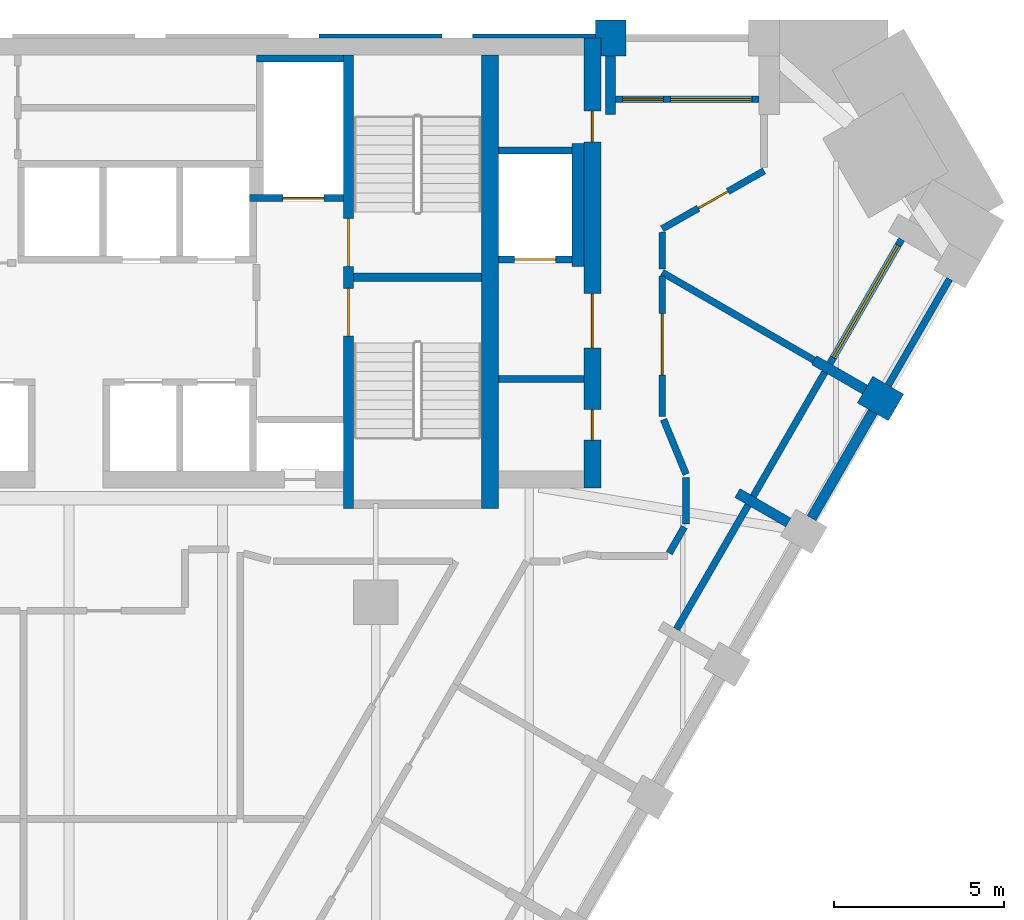
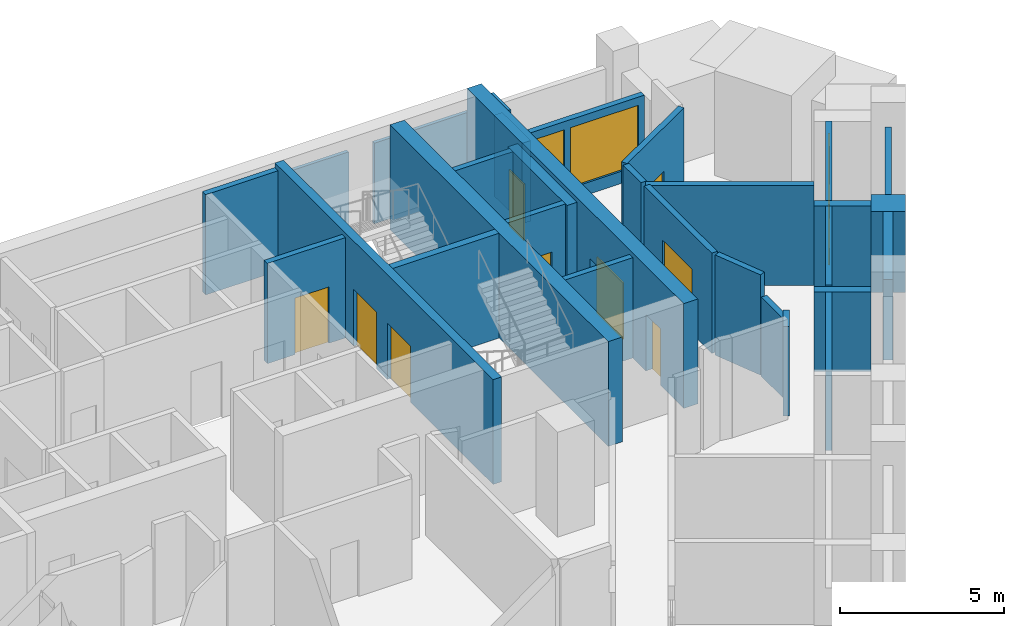
# One storey, part 7 of 9: 30 walls, 10 doors, 2 windows, 12 openings.
"""IFC4 building model written with IfcOpenShell, lengths in metres."""

from ifc_helpers import new_model, si_unit, direction, frame, frame_2d, origin, place, context, subcontext, project, spatial, polyline, rectangle, outline, extrude, material, layer, layer_set, type_object, element, fill, save


model = new_model("IFC4")

# Units and contexts
model_context = context("Model", 3, precision=1e-05, world=origin(), true_north=direction((0.0, 1.0)))
body_context = subcontext(model_context, "Body", "Model", "MODEL_VIEW")
ifc_project = project(units=[si_unit("LENGTHUNIT", "METRE"), si_unit("AREAUNIT", "SQUARE_METRE"), si_unit("VOLUMEUNIT", "CUBIC_METRE"), si_unit("PLANEANGLEUNIT", "RADIAN"), si_unit("MASSUNIT", "GRAM", prefix="KILO")], contexts=[model_context])

# Site, building, storey
site_placement = place(None, origin())
site = spatial("IfcSite", under=ifc_project, at=site_placement, CompositionType="ELEMENT")
building_placement = place(site_placement, origin())
building = spatial("IfcBuilding", under=site, at=building_placement, Name="Calabash Gate Tower", CompositionType="ELEMENT")
storey_placement = place(building_placement, frame((0.0, 0.0, 156.300048828125)))
storey = spatial("IfcBuildingStorey", under=building, at=storey_placement, Name="L36", CompositionType="ELEMENT", Elevation=156.300048828125)

# Walls
ifc_material_1 = material(Name="Terracotta brick masonry, exposed face", Category="masonry")
ifc_layer_1 = layer(ifc_material_1, 1.050048828125)
ifc_layer_set_1 = layer_set([ifc_layer_1], Name="Brick end wall 1050")
wall_type_1 = type_object("IfcWallType", Name="Brick end wall 1050", PredefinedType="SOLIDWALL", material=ifc_layer_set_1)
wall_1_placement = place(storey_placement, frame((24.2587890625, 8.2119140625, 0.0), z_axis=(0.0, 0.0, 1.0), x_axis=(-0.86592997719, 0.500165247297, 0.0)))
element("IfcWall", 1, at=wall_1_placement, inside=storey, type_object=wall_type_1, Name="Brick pier S10 SE4.7", PredefinedType="SOLIDWALL", context=body_context, shape_type="SweptSolid", body=[
    extrude(rectangle(XDim=1.050048828125, YDim=0.89990234375, at=frame_2d((0.52490234375, 0.0))), origin(), (0.0, 0.0, 1.0), 3.0),
])
wall_2_placement = place(storey_placement, origin())
element("IfcWall", 2, at=wall_2_placement, inside=storey, type_object=wall_type_1, Name="Brick pier S10 N6.1", PredefinedType="SOLIDWALL", context=body_context, shape_type="SweptSolid", body=[
    extrude(outline(polyline([(16.33740234375, 18.527587890625), (16.33740234375, 19.57763671875), (15.4375, 19.57763671875), (15.4375, 19.052490234375), (15.60009765625, 19.052490234375), (15.60009765625, 18.527587890625), (16.33740234375, 18.527587890625)])), origin(), (0.0, 0.0, 1.0), 3.0),
])
ifc_material_2 = material(Name="Terracotta brick masonry, exposed face", Category="masonry")
ifc_layer_2 = layer(ifc_material_2, 0.300048828125)
ifc_layer_set_2 = layer_set([ifc_layer_2], Name="Brick infill panel wall 300")
wall_type_2 = type_object("IfcWallType", Name="Brick infill panel wall 300", PredefinedType="SOLIDWALL", material=ifc_layer_set_2)
wall_3_placement = place(storey_placement, frame((21.779296875, 4.967041015625, 0.0), z_axis=(0.0, 0.0, 1.0), x_axis=(0.500012057535, 0.866018442252, 0.0)))
element("IfcWall", 3, at=wall_3_placement, inside=storey, type_object=wall_type_2, Name="Brick panel S10 SE4.7", PredefinedType="SOLIDWALL", context=body_context, shape_type="SweptSolid", body=[
    extrude(rectangle(XDim=3.60009765625, YDim=0.300048828125, at=frame_2d((1.800048828125, 0.0))), origin(), (0.0, 0.0, 1.0), 3.0),
])
ifc_material_3 = material(Name="Terracotta brick masonry, exposed face", Category="masonry")
ifc_layer_3 = layer(ifc_material_3, 0.300048828125)
ifc_layer_set_3 = layer_set([ifc_layer_3], Name="Brick loggia cheek wall 300")
wall_type_3 = type_object("IfcWallType", Name="Brick loggia cheek wall 300", PredefinedType="SOLIDWALL", material=ifc_layer_set_3)
wall_4_placement = place(storey_placement, frame((21.099609375, 4.83984375, 0.0), z_axis=(0.0, 0.0, 1.0), x_axis=(-0.866013532718, 0.500020560727, 0.0)))
element("IfcWall", 4, at=wall_4_placement, inside=storey, type_object=wall_type_3, Name="Loggia cheek S10 SE4.6", PredefinedType="SOLIDWALL", context=body_context, shape_type="SweptSolid", body=[
    extrude(rectangle(XDim=1.72509765625, YDim=0.300048828125, at=frame_2d((0.862548828125, 0.0))), origin(), (0.0, 0.0, 1.0), 2.949951171875),
])
wall_5_placement = place(storey_placement, frame((23.349609375, 8.737060546875, 0.0), z_axis=(0.0, 0.0, 1.0), x_axis=(-0.866013532718, 0.500020560727, 0.0)))
element("IfcWall", 5, at=wall_5_placement, inside=storey, type_object=wall_type_3, Name="Loggia cheek S10 SE4.7", PredefinedType="SOLIDWALL", context=body_context, shape_type="SweptSolid", body=[
    extrude(rectangle(XDim=1.72509765625, YDim=0.300048828125, at=frame_2d((0.862548828125, 0.0))), origin(), (0.0, 0.0, 1.0), 3.0),
])
wall_6_placement = place(storey_placement, origin())
element("IfcWall", 6, at=wall_6_placement, inside=storey, type_object=wall_type_3, Name="Loggia cheek S10 N6.1", PredefinedType="SOLIDWALL", context=body_context, shape_type="SweptSolid", body=[
    extrude(outline(polyline([(15.737548828125, 18.527587890625), (15.737548828125, 16.802490234375), (16.037353515625, 16.802490234375), (16.037353515625, 18.527587890625), (15.737548828125, 18.527587890625)])), origin(), (0.0, 0.0, 1.0), 3.0),
])
ifc_material_4 = material(Name="Gypsum board on steel studs, mineral wool", Category="steel")
ifc_layer_4 = layer(ifc_material_4, 0.199951171875)
ifc_layer_set_4 = layer_set([ifc_layer_4], Name="Core partition 200 gypsum board")
wall_type_4 = type_object("IfcWallType", Name="Core partition 200 gypsum board", PredefinedType="PARTITIONING", material=ifc_layer_set_4)
wall_7_placement = place(storey_placement, frame((12.60009765625, 9.052490234375, 0.0), z_axis=(0.0, 0.0, 1.0), x_axis=(1.0, 0.0, 0.0)))
element("IfcWall", 7, at=wall_7_placement, inside=storey, type_object=wall_type_4, Name="Core partition", PredefinedType="PARTITIONING", context=body_context, shape_type="SweptSolid", body=[
    extrude(rectangle(XDim=2.5, YDim=0.199951171875, at=frame_2d((1.25, 0.0))), origin(), (0.0, 0.0, 1.0), 3.72998046875),
])
ifc_material_5 = material(Name="Concrete C70/85", Category="concrete")
ifc_layer_5 = layer(ifc_material_5, 0.25)
ifc_layer_set_5 = layer_set([ifc_layer_5], Name="Core wall 250 Concrete C70/85")
wall_type_5 = type_object("IfcWallType", Name="Core wall 250 Concrete C70/85", PredefinedType="SHEAR", material=ifc_layer_set_5)
wall_8_placement = place(storey_placement, frame((8.35009765625, 12.027587890625, 0.0), z_axis=(0.0, 0.0, 1.0), x_axis=(1.0, 0.0, 0.0)))
element("IfcWall", 8, at=wall_8_placement, inside=storey, type_object=wall_type_5, Name="Core wall Z3-MIDE L36", PredefinedType="SHEAR", context=body_context, shape_type="SweptSolid", body=[
    extrude(rectangle(XDim=3.75, YDim=0.25, at=frame_2d((1.875, 0.0))), origin(), (0.0, 0.0, 1.0), 3.89990234375),
])

# Wall, openings, doors
ifc_material_6 = material(Name="Concrete C70/85", Category="concrete")
ifc_layer_6 = layer(ifc_material_6, 0.300048828125)
ifc_layer_set_6 = layer_set([ifc_layer_6], Name="Core wall 300 Concrete C70/85")
wall_type_6 = type_object("IfcWallType", Name="Core wall 300 Concrete C70/85", PredefinedType="SHEAR", material=ifc_layer_set_6)
wall_9_placement = place(storey_placement, frame((8.199951171875, 5.252685546875, 0.0), z_axis=(0.0, 0.0, 1.0), x_axis=(0.0, 1.0, 0.0)))
wall_9 = element("IfcWall", 9, at=wall_9_placement, inside=storey, type_object=wall_type_6, Name="Core wall Z3-PARTE L36", PredefinedType="SHEAR", context=body_context, shape_type="SweptSolid", body=[
    extrude(rectangle(XDim=13.2998046875, YDim=0.300048828125, at=frame_2d((6.64990234375, 0.0))), origin(), (0.0, 0.0, 1.0), 3.89990234375),
])
opening_1_placement = place(wall_9_placement, frame((7.10009765625, 0.0, 0.0)))
opening_1 = element("IfcOpeningElement", 10, at=opening_1_placement, cuts=wall_9, Name="Opening O2-017", PredefinedType="OPENING", context=body_context, shape_type="SweptSolid", body=[
    extrude(rectangle(XDim=1.39990234375, YDim=2.10009765625, at=frame_2d((0.699951171875, 1.050048828125))), frame((0.0, 0.159912109375, 0.0), z_axis=(0.0, -1.0, 0.0), x_axis=(1.0, 0.0, 0.0)), (0.0, 0.0, 1.0), 0.320068359375),
])
opening_2_placement = place(wall_9_placement, frame((5.050048828125, 0.0, 0.0)))
opening_2 = element("IfcOpeningElement", 11, at=opening_2_placement, cuts=wall_9, Name="Opening O2-018", PredefinedType="OPENING", context=body_context, shape_type="SweptSolid", body=[
    extrude(rectangle(XDim=1.39990234375, YDim=2.10009765625, at=frame_2d((0.699951171875, 1.050048828125))), frame((0.0, 0.159912109375, 0.0), z_axis=(0.0, -1.0, 0.0), x_axis=(1.0, 0.0, 0.0)), (0.0, 0.0, 1.0), 0.320068359375),
])
ifc_material_7 = material(Name="Steel fire door set with fire-resisting glazing", Category="steel")
door_type_1 = type_object("IfcDoorType", Name="Fire door D05 1400x2100 FD90", OperationType="NOTDEFINED", PredefinedType="DOOR", material=ifc_material_7)
door_1_placement = place(opening_1_placement, origin())
door_1 = element("IfcDoor", 12, at=door_1_placement, inside=storey, type_object=door_type_1, Name="Exit stair door ST3", OperationType="SINGLE_SWING_RIGHT", OverallHeight=2.10009765625, OverallWidth=1.39990234375, PredefinedType="DOOR", context=body_context, shape_type="SweptSolid", body=[
    extrude(rectangle(XDim=1.39990234375, YDim=2.10009765625, at=frame_2d((0.699951171875, 1.050048828125))), frame((0.0, 0.02490234375, 0.0), z_axis=(0.0, -1.0, 0.0), x_axis=(1.0, 0.0, 0.0)), (0.0, 0.0, 1.0), 0.050048828125),
])
fill(opening_1, door_1)
door_2_placement = place(opening_2_placement, origin())
door_2 = element("IfcDoor", 13, at=door_2_placement, inside=storey, type_object=door_type_1, Name="Exit stair door ST4", OperationType="SINGLE_SWING_LEFT", OverallHeight=2.10009765625, OverallWidth=1.39990234375, PredefinedType="DOOR", context=body_context, shape_type="SweptSolid", body=[
    extrude(rectangle(XDim=1.39990234375, YDim=2.10009765625, at=frame_2d((0.699951171875, 1.050048828125))), frame((0.0, 0.02490234375, 0.0), z_axis=(0.0, -1.0, 0.0), x_axis=(1.0, 0.0, 0.0)), (0.0, 0.0, 1.0), 0.050048828125),
])
fill(opening_2, door_2)

# Wall
ifc_material_8 = material(Name="Concrete C70/85", Category="concrete")
ifc_layer_7 = layer(ifc_material_8, 0.5)
ifc_layer_set_7 = layer_set([ifc_layer_7], Name="Core wall 500 Concrete C70/85")
wall_type_7 = type_object("IfcWallType", Name="Core wall 500 Concrete C70/85", PredefinedType="SHEAR", material=ifc_layer_set_7)
wall_10_placement = place(storey_placement, frame((12.35009765625, 5.252685546875, 0.0), z_axis=(0.0, 0.0, 1.0), x_axis=(0.0, 1.0, 0.0)))
element("IfcWall", 14, at=wall_10_placement, inside=storey, type_object=wall_type_7, Name="Core wall Z3-COLE L36", PredefinedType="SHEAR", context=body_context, shape_type="SweptSolid", body=[
    extrude(rectangle(XDim=13.2998046875, YDim=0.5, at=frame_2d((6.64990234375, 0.0))), origin(), (0.0, 0.0, 1.0), 3.89990234375),
])

# Wall, openings, doors
wall_11_placement = place(storey_placement, frame((15.35009765625, 5.8525390625, 0.0), z_axis=(0.0, 0.0, 1.0), x_axis=(0.0, 1.0, 0.0)))
wall_11 = element("IfcWall", 15, at=wall_11_placement, inside=storey, type_object=wall_type_7, Name="Core wall Z3-ENDE L36", PredefinedType="SHEAR", context=body_context, shape_type="SweptSolid", body=[
    extrude(rectangle(XDim=13.199951171875, YDim=0.5, at=frame_2d((6.60009765625, 0.0))), origin(), (0.0, 0.0, 1.0), 3.89990234375),
])
opening_3_placement = place(wall_11_placement, frame((4.10009765625, 0.0, 0.0)))
opening_3 = element("IfcOpeningElement", 16, at=opening_3_placement, cuts=wall_11, Name="Opening O2-003", PredefinedType="OPENING", context=body_context, shape_type="SweptSolid", body=[
    extrude(rectangle(XDim=1.60009765625, YDim=2.10009765625, at=frame_2d((0.800048828125, 1.050048828125))), frame((0.0, 0.260009765625, 0.0), z_axis=(0.0, -1.0, 0.0), x_axis=(1.0, 0.0, 0.0)), (0.0, 0.0, 1.0), 0.52001953125),
])
opening_4_placement = place(wall_11_placement, frame((1.39990234375, 0.0, 0.0)))
opening_4 = element("IfcOpeningElement", 17, at=opening_4_placement, cuts=wall_11, Name="Opening O2-001", PredefinedType="OPENING", context=body_context, shape_type="SweptSolid", body=[
    extrude(rectangle(XDim=0.89990234375, YDim=2.10009765625, at=frame_2d((0.449951171875, 1.050048828125))), frame((0.0, 0.260009765625, 0.0), z_axis=(0.0, -1.0, 0.0), x_axis=(1.0, 0.0, 0.0)), (0.0, 0.0, 1.0), 0.52001953125),
])
opening_5_placement = place(wall_11_placement, frame((10.14990234375, 0.0, 0.0)))
opening_5 = element("IfcOpeningElement", 18, at=opening_5_placement, cuts=wall_11, Name="Opening O2-002", PredefinedType="OPENING", context=body_context, shape_type="SweptSolid", body=[
    extrude(rectangle(XDim=0.89990234375, YDim=2.10009765625, at=frame_2d((0.449951171875, 1.050048828125))), frame((0.0, 0.260009765625, 0.0), z_axis=(0.0, -1.0, 0.0), x_axis=(1.0, 0.0, 0.0)), (0.0, 0.0, 1.0), 0.52001953125),
])
ifc_material_9 = material(Name="Steel fire door set with fire-resisting glazing", Category="steel")
door_type_2 = type_object("IfcDoorType", Name="Double fire door D08 1600x2100 FD60", OperationType="DOUBLE_DOOR_SINGLE_SWING", PredefinedType="DOOR", material=ifc_material_9)
door_3_placement = place(opening_3_placement, origin())
door_3 = element("IfcDoor", 19, at=door_3_placement, inside=storey, type_object=door_type_2, Name="Service Lift Lobby E door", OperationType="DOUBLE_DOOR_SINGLE_SWING", OverallHeight=2.10009765625, OverallWidth=1.60009765625, PredefinedType="DOOR", context=body_context, shape_type="SweptSolid", body=[
    extrude(rectangle(XDim=1.60009765625, YDim=2.10009765625, at=frame_2d((0.800048828125, 1.050048828125))), frame((0.0, 0.02490234375, 0.0), z_axis=(0.0, -1.0, 0.0), x_axis=(1.0, 0.0, 0.0)), (0.0, 0.0, 1.0), 0.050048828125),
])
fill(opening_3, door_3)
ifc_material_10 = material(Name="Steel fire door set with fire-resisting glazing", Category="steel")
door_type_3 = type_object("IfcDoorType", Name="Fire door D06 900x2100 FD60", OperationType="NOTDEFINED", PredefinedType="DOOR", material=ifc_material_10)
door_4_placement = place(opening_4_placement, origin())
door_4 = element("IfcDoor", 20, at=door_4_placement, inside=storey, type_object=door_type_3, Name="Print Room door", OperationType="SINGLE_SWING_RIGHT", OverallHeight=2.10009765625, OverallWidth=0.89990234375, PredefinedType="DOOR", context=body_context, shape_type="SweptSolid", body=[
    extrude(rectangle(XDim=0.89990234375, YDim=2.10009765625, at=frame_2d((0.449951171875, 1.050048828125))), frame((0.0, 0.02490234375, 0.0), z_axis=(0.0, -1.0, 0.0), x_axis=(1.0, 0.0, 0.0)), (0.0, 0.0, 1.0), 0.050048828125),
])
fill(opening_4, door_4)
door_5_placement = place(opening_5_placement, origin())
door_5 = element("IfcDoor", 21, at=door_5_placement, inside=storey, type_object=door_type_3, Name="Men's WC door", OperationType="SINGLE_SWING_LEFT", OverallHeight=2.10009765625, OverallWidth=0.89990234375, PredefinedType="DOOR", context=body_context, shape_type="SweptSolid", body=[
    extrude(rectangle(XDim=0.89990234375, YDim=2.10009765625, at=frame_2d((0.449951171875, 1.050048828125))), frame((0.0, 0.02490234375, 0.0), z_axis=(0.0, -1.0, 0.0), x_axis=(1.0, 0.0, 0.0)), (0.0, 0.0, 1.0), 0.050048828125),
])
fill(opening_5, door_5)

# Walls
ifc_material_11 = material(Name="Gypsum board on steel studs, mineral wool", Category="steel")
ifc_layer_8 = layer(ifc_material_11, 0.199951171875)
ifc_layer_set_8 = layer_set([ifc_layer_8], Name="Partition 200 gypsum board EI 60")
wall_type_8 = type_object("IfcWallType", Name="Partition 200 gypsum board EI 60", PredefinedType="PARTITIONING", material=ifc_layer_set_8)
wall_12_placement = place(storey_placement, frame((17.606201171875, 3.938720703125, 0.0), z_axis=(0.0, 0.0, 1.0), x_axis=(0.500071473339, 0.8659841347, 0.0)))
element("IfcWall", 22, at=wall_12_placement, inside=storey, type_object=wall_type_8, Name="Partition", PredefinedType="PARTITIONING", context=body_context, shape_type="SweptSolid", body=[
    extrude(rectangle(XDim=0.887939453125, YDim=0.199951171875, at=frame_2d((0.44384765625, 0.0))), origin(), (0.0, 0.0, 1.0), 3.33154296875),
])
wall_13_placement = place(storey_placement, frame((18.1005859375, 4.794189453125, 0.0), z_axis=(0.0, 0.0, 1.0), x_axis=(0.0, 1.0, 0.0)))
element("IfcWall", 23, at=wall_13_placement, inside=storey, type_object=wall_type_8, Name="Partition", PredefinedType="PARTITIONING", context=body_context, shape_type="SweptSolid", body=[
    extrude(rectangle(XDim=1.3583984375, YDim=0.199951171875, at=frame_2d((0.67919921875, 0.0))), origin(), (0.0, 0.0, 1.0), 2.949951171875),
])
wall_14_placement = place(storey_placement, frame((17.438720703125, 7.860107421875, 0.0), z_axis=(0.0, 0.0, 1.0), x_axis=(0.380742741509, -0.924681007044, 0.0)))
element("IfcWall", 24, at=wall_14_placement, inside=storey, type_object=wall_type_8, Name="Partition", PredefinedType="PARTITIONING", context=body_context, shape_type="SweptSolid", body=[
    extrude(rectangle(XDim=1.73828125, YDim=0.199951171875, at=frame_2d((0.869140625, 0.0))), origin(), (0.0, 0.0, 1.0), 3.72998046875),
])

# Wall, opening, door
wall_15_placement = place(storey_placement, frame((17.400390625, 7.95263671875, 0.0), z_axis=(0.0, 0.0, 1.0), x_axis=(0.000414986922, 0.999999913893, 0.0)))
wall_15 = element("IfcWall", 25, at=wall_15_placement, inside=storey, type_object=wall_type_8, Name="Partition", PredefinedType="PARTITIONING", context=body_context, shape_type="SweptSolid", body=[
    extrude(rectangle(XDim=4.1181640625, YDim=0.199951171875, at=frame_2d((2.05908203125, 0.0))), origin(), (0.0, 0.0, 1.0), 3.72998046875),
])
opening_6_placement = place(wall_15_placement, frame((1.20947265625, 0.0, 0.0)))
opening_6 = element("IfcOpeningElement", 26, at=opening_6_placement, cuts=wall_15, Name="Opening 36-38-013", PredefinedType="OPENING", context=body_context, shape_type="SweptSolid", body=[
    extrude(rectangle(XDim=1.800048828125, YDim=2.39990234375, at=frame_2d((0.89990234375, 1.199951171875))), frame((0.0, 0.10986328125, 0.0), z_axis=(0.0, -1.0, 0.0), x_axis=(1.0, 0.0, 0.0)), (0.0, 0.0, 1.0), 0.219970703125),
])
ifc_material_12 = material(Name="Steel fire door set with fire-resisting glazing", Category="steel")
door_type_4 = type_object("IfcDoorType", Name="TD1 Tenancy entrance double door 1800x2400", OperationType="NOTDEFINED", PredefinedType="DOOR", material=ifc_material_12)
door_6_placement = place(opening_6_placement, origin())
door_6 = element("IfcDoor", 27, at=door_6_placement, inside=storey, type_object=door_type_4, Name="Tenancy entrance double door", OperationType="DOUBLE_DOOR_SINGLE_SWING", OverallHeight=2.39990234375, OverallWidth=1.800048828125, PredefinedType="DOOR", context=body_context, shape_type="SweptSolid", body=[
    extrude(rectangle(XDim=1.800048828125, YDim=2.39990234375, at=frame_2d((0.89990234375, 1.199951171875))), frame((0.0, 0.02490234375, 0.0), z_axis=(0.0, -1.0, 0.0), x_axis=(1.0, 0.0, 0.0)), (0.0, 0.0, 1.0), 0.050048828125),
])
fill(opening_6, door_6)

# Walls
wall_16_placement = place(storey_placement, frame((17.400634765625, 12.173583984375, 0.0), z_axis=(0.0, 0.0, 1.0), x_axis=(0.865871011045, -0.500267320772, 0.0)))
element("IfcWall", 28, at=wall_16_placement, inside=storey, type_object=wall_type_8, Name="Partition", PredefinedType="PARTITIONING", context=body_context, shape_type="SweptSolid", body=[
    extrude(rectangle(XDim=5.145263671875, YDim=0.199951171875, at=frame_2d((2.57275390625, 0.0))), origin(), (0.0, 0.0, 1.0), 3.72998046875),
])
wall_17_placement = place(storey_placement, frame((17.400634765625, 13.352294921875, 0.0), z_axis=(0.0, 0.0, 1.0), x_axis=(0.001128922288, -0.999999362767, 0.0)))
element("IfcWall", 29, at=wall_17_placement, inside=storey, type_object=wall_type_8, Name="Partition", PredefinedType="PARTITIONING", context=body_context, shape_type="SweptSolid", body=[
    extrude(rectangle(XDim=1.081298828125, YDim=0.199951171875, at=frame_2d((0.54052734375, 0.0))), origin(), (0.0, 0.0, 1.0), 3.72998046875),
])

# Wall, opening, door
wall_18_placement = place(storey_placement, frame((17.400390625, 13.452392578125, 0.0), z_axis=(0.0, 0.0, 1.0), x_axis=(0.86915962074, 0.494531650833, 0.0)))
wall_18 = element("IfcWall", 30, at=wall_18_placement, inside=storey, type_object=wall_type_8, Name="Partition", PredefinedType="PARTITIONING", context=body_context, shape_type="SweptSolid", body=[
    extrude(rectangle(XDim=3.43701171875, YDim=0.199951171875, at=frame_2d((1.718505859375, 0.0))), origin(), (0.0, 0.0, 1.0), 3.72998046875),
])
opening_7_placement = place(wall_18_placement, frame((1.218505859375, 0.0, 0.0)))
opening_7 = element("IfcOpeningElement", 31, at=opening_7_placement, cuts=wall_18, Name="Opening 36-38-014", PredefinedType="OPENING", context=body_context, shape_type="SweptSolid", body=[
    extrude(rectangle(XDim=1.0, YDim=2.10009765625, at=frame_2d((0.5, 1.050048828125))), frame((0.0, 0.10986328125, 0.0), z_axis=(0.0, -1.0, 0.0), x_axis=(1.0, 0.0, 0.0)), (0.0, 0.0, 1.0), 0.219970703125),
])
ifc_material_13 = material(Name="Steel fire door set with fire-resisting glazing", Category="steel")
door_type_5 = type_object("IfcDoorType", Name="LD2 Meeting room door 1000x2100", OperationType="NOTDEFINED", PredefinedType="DOOR", material=ifc_material_13)
door_7_placement = place(opening_7_placement, origin())
door_7 = element("IfcDoor", 32, at=door_7_placement, inside=storey, type_object=door_type_5, Name="Meeting room door", OperationType="SINGLE_SWING_LEFT", OverallHeight=2.10009765625, OverallWidth=1.0, PredefinedType="DOOR", context=body_context, shape_type="SweptSolid", body=[
    extrude(rectangle(XDim=1.0, YDim=2.10009765625, at=frame_2d((0.5, 1.050048828125))), frame((0.0, 0.02490234375, 0.0), z_axis=(0.0, -1.0, 0.0), x_axis=(1.0, 0.0, 0.0)), (0.0, 0.0, 1.0), 0.050048828125),
])
fill(opening_7, door_7)

# Wall
ifc_material_14 = material(Name="Concrete C40/50", Category="concrete")
ifc_layer_9 = layer(ifc_material_14, 0.199951171875)
ifc_layer_set_9 = layer_set([ifc_layer_9], Name="Shaft wall 200 Concrete C40/50")
wall_type_9 = type_object("IfcWallType", Name="Shaft wall 200 Concrete C40/50", PredefinedType="SOLIDWALL", material=ifc_layer_set_9)
wall_19_placement = place(storey_placement, frame((14.925048828125, 12.3525390625, 0.0), z_axis=(0.0, 0.0, 1.0), x_axis=(0.0, 1.0, 0.0)))
element("IfcWall", 33, at=wall_19_placement, inside=storey, type_object=wall_type_9, Name="Shaft wall", PredefinedType="SOLIDWALL", context=body_context, shape_type="SweptSolid", body=[
    extrude(rectangle(XDim=3.60009765625, YDim=0.35009765625, at=frame_2d((1.800048828125, 0.0))), origin(), (0.0, 0.0, 1.0), 3.72998046875),
])

# Wall, opening, door
wall_20_placement = place(storey_placement, frame((12.60009765625, 12.552490234375, 0.0), z_axis=(0.0, 0.0, 1.0), x_axis=(1.0, 0.0, 0.0)))
wall_20 = element("IfcWall", 34, at=wall_20_placement, inside=storey, type_object=wall_type_9, Name="Shaft wall", PredefinedType="SOLIDWALL", context=body_context, shape_type="SweptSolid", body=[
    extrude(rectangle(XDim=2.14990234375, YDim=0.199951171875, at=frame_2d((1.074951171875, 0.0))), origin(), (0.0, 0.0, 1.0), 3.72998046875),
])
opening_8_placement = place(wall_20_placement, frame((0.47509765625, 0.0, 0.0)))
opening_8 = element("IfcOpeningElement", 35, at=opening_8_placement, cuts=wall_20, Name="Opening LD-SL1", PredefinedType="OPENING", context=body_context, shape_type="SweptSolid", body=[
    extrude(rectangle(XDim=1.199951171875, YDim=2.10009765625, at=frame_2d((0.60009765625, 1.050048828125))), frame((0.0, 0.10986328125, 0.0), z_axis=(0.0, -1.0, 0.0), x_axis=(1.0, 0.0, 0.0)), (0.0, 0.0, 1.0), 0.219970703125),
])
ifc_material_15 = material(Name="Stainless steel sliding door leaves", Category="steel")
door_type_6 = type_object("IfcDoorType", Name="Lift landing door LS3 1200x2100 FD90", OperationType="DOUBLE_DOOR_SLIDING", PredefinedType="DOOR", material=ifc_material_15)
door_8_placement = place(opening_8_placement, origin())
door_8 = element("IfcDoor", 36, at=door_8_placement, inside=storey, type_object=door_type_6, Name="Lift landing door SL1", OperationType="DOUBLE_DOOR_SLIDING", OverallHeight=2.10009765625, OverallWidth=1.199951171875, PredefinedType="DOOR", context=body_context, shape_type="SweptSolid", body=[
    extrude(rectangle(XDim=1.199951171875, YDim=2.10009765625, at=frame_2d((0.60009765625, 1.050048828125))), frame((0.0, 0.02490234375, 0.0), z_axis=(0.0, -1.0, 0.0), x_axis=(1.0, 0.0, 0.0)), (0.0, 0.0, 1.0), 0.050048828125),
])
fill(opening_8, door_8)

wall_21_placement = place(storey_placement, frame((5.300048828125, 14.3525390625, 0.0), z_axis=(0.0, 0.0, 1.0), x_axis=(1.0, 0.0, 0.0)))
wall_21 = element("IfcWall", 37, at=wall_21_placement, inside=storey, type_object=wall_type_9, Name="Shaft wall", PredefinedType="SOLIDWALL", context=body_context, shape_type="SweptSolid", body=[
    extrude(rectangle(XDim=2.75, YDim=0.199951171875, at=frame_2d((1.375, 0.0))), origin(), (0.0, 0.0, 1.0), 3.72998046875),
])
opening_9_placement = place(wall_21_placement, frame((0.97509765625, 0.0, 0.0)))
opening_9 = element("IfcOpeningElement", 38, at=opening_9_placement, cuts=wall_21, Name="Opening LD-FF2", PredefinedType="OPENING", context=body_context, shape_type="SweptSolid", body=[
    extrude(rectangle(XDim=1.199951171875, YDim=2.10009765625, at=frame_2d((0.60009765625, 1.050048828125))), frame((0.0, 0.10986328125, 0.0), z_axis=(0.0, -1.0, 0.0), x_axis=(1.0, 0.0, 0.0)), (0.0, 0.0, 1.0), 0.219970703125),
])
door_9_placement = place(opening_9_placement, origin())
door_9 = element("IfcDoor", 39, at=door_9_placement, inside=storey, type_object=door_type_6, Name="Lift landing door FF2", OperationType="DOUBLE_DOOR_SLIDING", OverallHeight=2.10009765625, OverallWidth=1.199951171875, PredefinedType="DOOR", context=body_context, shape_type="SweptSolid", body=[
    extrude(rectangle(XDim=1.199951171875, YDim=2.10009765625, at=frame_2d((0.60009765625, 1.050048828125))), frame((0.0, 0.02490234375, 0.0), z_axis=(0.0, -1.0, 0.0), x_axis=(1.0, 0.0, 0.0)), (0.0, 0.0, 1.0), 0.050048828125),
])
fill(opening_9, door_9)

# Walls
wall_22_placement = place(storey_placement, frame((12.60009765625, 15.752685546875, 0.0), z_axis=(0.0, 0.0, 1.0), x_axis=(1.0, 0.0, 0.0)))
element("IfcWall", 40, at=wall_22_placement, inside=storey, type_object=wall_type_9, Name="Shaft wall", PredefinedType="SOLIDWALL", context=body_context, shape_type="SweptSolid", body=[
    extrude(rectangle(XDim=2.14990234375, YDim=0.199951171875, at=frame_2d((1.074951171875, 0.0))), origin(), (0.0, 0.0, 1.0), 3.72998046875),
])
wall_23_placement = place(storey_placement, frame((5.5, 18.45263671875, 0.0), z_axis=(0.0, 0.0, 1.0), x_axis=(1.0, 0.0, 0.0)))
element("IfcWall", 41, at=wall_23_placement, inside=storey, type_object=wall_type_9, Name="Shaft wall", PredefinedType="SOLIDWALL", context=body_context, shape_type="SweptSolid", body=[
    extrude(rectangle(XDim=2.550048828125, YDim=0.199951171875, at=frame_2d((1.27490234375, 0.0))), origin(), (0.0, 0.0, 1.0), 3.72998046875),
])
ifc_material_16 = material(Name="Terracotta brick masonry, perforated", Category="masonry")
ifc_layer_10 = layer(ifc_material_16, 0.1201171875)
ifc_layer_set_10 = layer_set([ifc_layer_10], Name="Terracotta jaali cladding B 120")
wall_type_10 = type_object("IfcWallType", Name="Terracotta jaali cladding B 120", PredefinedType="SOLIDWALL", material=ifc_layer_set_10)
wall_24_placement = place(storey_placement, origin())
element("IfcWall", 42, at=wall_24_placement, inside=storey, type_object=wall_type_10, Name="Jaali cladding S10 N6.3", PredefinedType="SOLIDWALL", context=body_context, shape_type="SweptSolid", body=[
    extrude(outline(polyline([(7.33740234375, 19.172607421875), (7.33740234375, 19.052490234375), (10.9375, 19.052490234375), (10.9375, 19.172607421875), (7.33740234375, 19.172607421875)])), origin(), (0.0, 0.0, 1.0), 3.0),
])
ifc_material_17 = material(Name="Terracotta brick masonry, perforated", Category="masonry")
ifc_layer_11 = layer(ifc_material_17, 0.199951171875)
ifc_layer_set_11 = layer_set([ifc_layer_11], Name="Terracotta jaali screen B")
wall_type_11 = type_object("IfcWallType", Name="Terracotta jaali screen B", PredefinedType="SOLIDWALL", material=ifc_layer_set_11)
wall_25_placement = place(storey_placement, frame((24.029296875, 8.8642578125, 0.0), z_axis=(0.0, 0.0, 1.0), x_axis=(0.500012057535, 0.866018442252, 0.0)))
element("IfcWall", 43, at=wall_25_placement, inside=storey, type_object=wall_type_11, Name="SCREEN B S10 SE4.8", PredefinedType="SOLIDWALL", context=body_context, shape_type="SweptSolid", body=[
    extrude(rectangle(XDim=3.60009765625, YDim=0.199951171875, at=frame_2d((1.800048828125, 0.0))), origin(), (0.0, 0.0, 1.0), 3.0),
])
ifc_material_18 = material(Name="Terracotta louvre blades in an aluminium frame", Category="masonry")
ifc_layer_12 = layer(ifc_material_18, 0.1201171875)
ifc_layer_set_12 = layer_set([ifc_layer_12], Name="Terracotta vent louvre cladding 120")
wall_type_12 = type_object("IfcWallType", Name="Terracotta vent louvre cladding 120", PredefinedType="ELEMENTEDWALL", material=ifc_layer_set_12)
wall_26_placement = place(storey_placement, origin())
element("IfcWall", 44, at=wall_26_placement, inside=storey, type_object=wall_type_12, Name="Vent louvre cladding S10 N6.2", PredefinedType="ELEMENTEDWALL", context=body_context, shape_type="SweptSolid", body=[
    extrude(outline(polyline([(11.83740234375, 19.172607421875), (11.83740234375, 19.052490234375), (15.43701171875, 19.052490234375), (15.43701171875, 19.172607421875), (11.83740234375, 19.172607421875)])), origin(), (0.0, 0.0, 1.0), 3.0),
])
ifc_material_19 = material(Name="Aluminium framed window wall with insulated spandrel", Category="aluminium")
ifc_layer_13 = layer(ifc_material_19, 0.199951171875)
ifc_layer_set_13 = layer_set([ifc_layer_13], Name="Window wall 200")
wall_type_13 = type_object("IfcWallType", Name="Window wall 200", PredefinedType="ELEMENTEDWALL", material=ifc_layer_set_13)
wall_27_placement = place(storey_placement, frame((17.8203125, 1.710205078125, 0.0), z_axis=(0.0, 0.0, 1.0), x_axis=(0.500027713859, 0.866009402589, 0.0)))
element("IfcWall", 45, at=wall_27_placement, inside=storey, type_object=wall_type_13, Name="Window wall S10 SE4.6", PredefinedType="ELEMENTEDWALL", context=body_context, shape_type="SweptSolid", body=[
    extrude(rectangle(XDim=4.199951171875, YDim=0.199951171875, at=frame_2d((2.10009765625, 0.0))), origin(), (0.0, 0.0, 1.0), 2.949951171875),
])
wall_28_placement = place(storey_placement, frame((20.0703125, 5.607177734375, 0.0), z_axis=(0.0, 0.0, 1.0), x_axis=(0.500002543286, 0.866023935413, 0.0)))
element("IfcWall", 46, at=wall_28_placement, inside=storey, type_object=wall_type_13, Name="Window wall S10 SE4.7", PredefinedType="ELEMENTEDWALL", context=body_context, shape_type="SweptSolid", body=[
    extrude(rectangle(XDim=4.2001953125, YDim=0.199951171875, at=frame_2d((2.10009765625, 0.0))), origin(), (0.0, 0.0, 1.0), 3.0),
])

# Wall, opening, window
wall_29_placement = place(storey_placement, frame((22.3203125, 9.50439453125, 0.0), z_axis=(0.0, 0.0, 1.0), x_axis=(0.500027713859, 0.866009402589, 0.0)))
wall_29 = element("IfcWall", 47, at=wall_29_placement, inside=storey, type_object=wall_type_13, Name="Window wall S10 SE4.8", PredefinedType="ELEMENTEDWALL", context=body_context, shape_type="SweptSolid", body=[
    extrude(rectangle(XDim=4.199951171875, YDim=0.199951171875, at=frame_2d((2.10009765625, 0.0))), origin(), (0.0, 0.0, 1.0), 3.0),
])
opening_10_placement = place(wall_29_placement, frame((0.199951171875, 0.0, 0.449951171875)))
opening_10 = element("IfcOpeningElement", 48, at=opening_10_placement, cuts=wall_29, Name="Opening OW2", PredefinedType="OPENING", context=body_context, shape_type="SweptSolid", body=[
    extrude(rectangle(XDim=3.800048828125, YDim=2.25, at=frame_2d((1.89990234375, 1.125))), frame((0.0, 0.10986328125, 0.0), z_axis=(0.0, -1.0, 0.0), x_axis=(1.0, 0.0, 0.0)), (0.0, 0.0, 1.0), 0.219970703125),
])
ifc_material_20 = material(Name="Anodised aluminium frame, bronze finish, impact-rated laminated clear glazing", Category="aluminium")
window_type_1 = type_object("IfcWindowType", Name="Window OW2 3800x2250", PartitioningType="TRIPLE_PANEL_VERTICAL", PredefinedType="WINDOW", material=ifc_material_20)
window_1_placement = place(opening_10_placement, origin())
window_1 = element("IfcWindow", 49, at=window_1_placement, inside=storey, type_object=window_type_1, Name="Window OW2 S10 SE4.8", OverallHeight=2.25, OverallWidth=3.800048828125, PartitioningType="SINGLE_PANEL", PredefinedType="WINDOW", context=body_context, shape_type="SweptSolid", body=[
    extrude(rectangle(XDim=3.800048828125, YDim=2.25, at=frame_2d((1.89990234375, 1.125))), frame((0.0, 0.030029296875, 0.0), z_axis=(0.0, -1.0, 0.0), x_axis=(1.0, 0.0, 0.0)), (0.0, 0.0, 1.0), 0.06005859375),
])
fill(opening_10, window_1)

# Wall, openings, door, window
wall_30_placement = place(storey_placement, frame((20.237548828125, 17.25244140625, 0.0), z_axis=(0.0, 0.0, 1.0), x_axis=(-1.0, 0.0, 0.0)))
wall_30 = element("IfcWall", 50, at=wall_30_placement, inside=storey, type_object=wall_type_13, Name="Window wall S10 N6.1", PredefinedType="ELEMENTEDWALL", context=body_context, shape_type="SweptSolid", body=[
    extrude(rectangle(XDim=4.2001953125, YDim=0.199951171875, at=frame_2d((2.10009765625, 0.0))), origin(), (0.0, 0.0, 1.0), 3.0),
])
opening_11_placement = place(wall_30_placement, frame((0.199951171875, 0.0, 0.449951171875)))
opening_11 = element("IfcOpeningElement", 51, at=opening_11_placement, cuts=wall_30, Name="Opening OW1", PredefinedType="OPENING", context=body_context, shape_type="SweptSolid", body=[
    extrude(rectangle(XDim=2.39990234375, YDim=2.25, at=frame_2d((1.199951171875, 1.125))), frame((0.0, 0.10986328125, 0.0), z_axis=(0.0, -1.0, 0.0), x_axis=(1.0, 0.0, 0.0)), (0.0, 0.0, 1.0), 0.219970703125),
])
opening_12_placement = place(wall_30_placement, frame((2.800048828125, 0.0, 0.0)))
opening_12 = element("IfcOpeningElement", 52, at=opening_12_placement, cuts=wall_30, Name="Opening O2-019", PredefinedType="OPENING", context=body_context, shape_type="SweptSolid", body=[
    extrude(rectangle(XDim=1.199951171875, YDim=2.699951171875, at=frame_2d((0.60009765625, 1.35009765625))), frame((0.0, 0.10986328125, 0.0), z_axis=(0.0, -1.0, 0.0), x_axis=(1.0, 0.0, 0.0)), (0.0, 0.0, 1.0), 0.219970703125),
])
ifc_material_21 = material(Name="Anodised aluminium frame, bronze finish, impact-rated laminated clear glazing", Category="aluminium")
door_type_7 = type_object("IfcDoorType", Name="Loggia door DO1 1200x2700", OperationType="SLIDING_TO_LEFT", PredefinedType="DOOR", material=ifc_material_21)
door_10_placement = place(opening_12_placement, origin())
door_10 = element("IfcDoor", 53, at=door_10_placement, inside=storey, type_object=door_type_7, Name="Loggia door S10 N6.1", OperationType="SINGLE_SWING_LEFT", OverallHeight=2.699951171875, OverallWidth=1.199951171875, PredefinedType="DOOR", context=body_context, shape_type="SweptSolid", body=[
    extrude(rectangle(XDim=1.199951171875, YDim=2.699951171875, at=frame_2d((0.60009765625, 1.35009765625))), frame((0.0, 0.02490234375, 0.0), z_axis=(0.0, -1.0, 0.0), x_axis=(1.0, 0.0, 0.0)), (0.0, 0.0, 1.0), 0.050048828125),
])
fill(opening_12, door_10)
ifc_material_22 = material(Name="Anodised aluminium frame, bronze finish, impact-rated laminated clear glazing", Category="aluminium")
window_type_2 = type_object("IfcWindowType", Name="Window OW1 2400x2250", PartitioningType="DOUBLE_PANEL_VERTICAL", PredefinedType="WINDOW", material=ifc_material_22)
window_2_placement = place(opening_11_placement, origin())
window_2 = element("IfcWindow", 54, at=window_2_placement, inside=storey, type_object=window_type_2, Name="Window OW1 S10 N6.1", OverallHeight=2.25, OverallWidth=2.39990234375, PartitioningType="SINGLE_PANEL", PredefinedType="WINDOW", context=body_context, shape_type="SweptSolid", body=[
    extrude(rectangle(XDim=2.39990234375, YDim=2.25, at=frame_2d((1.199951171875, 1.125))), frame((0.0, 0.030029296875, 0.0), z_axis=(0.0, -1.0, 0.0), x_axis=(1.0, 0.0, 0.0)), (0.0, 0.0, 1.0), 0.06005859375),
])
fill(opening_11, window_2)

save(model, "model.ifc")
